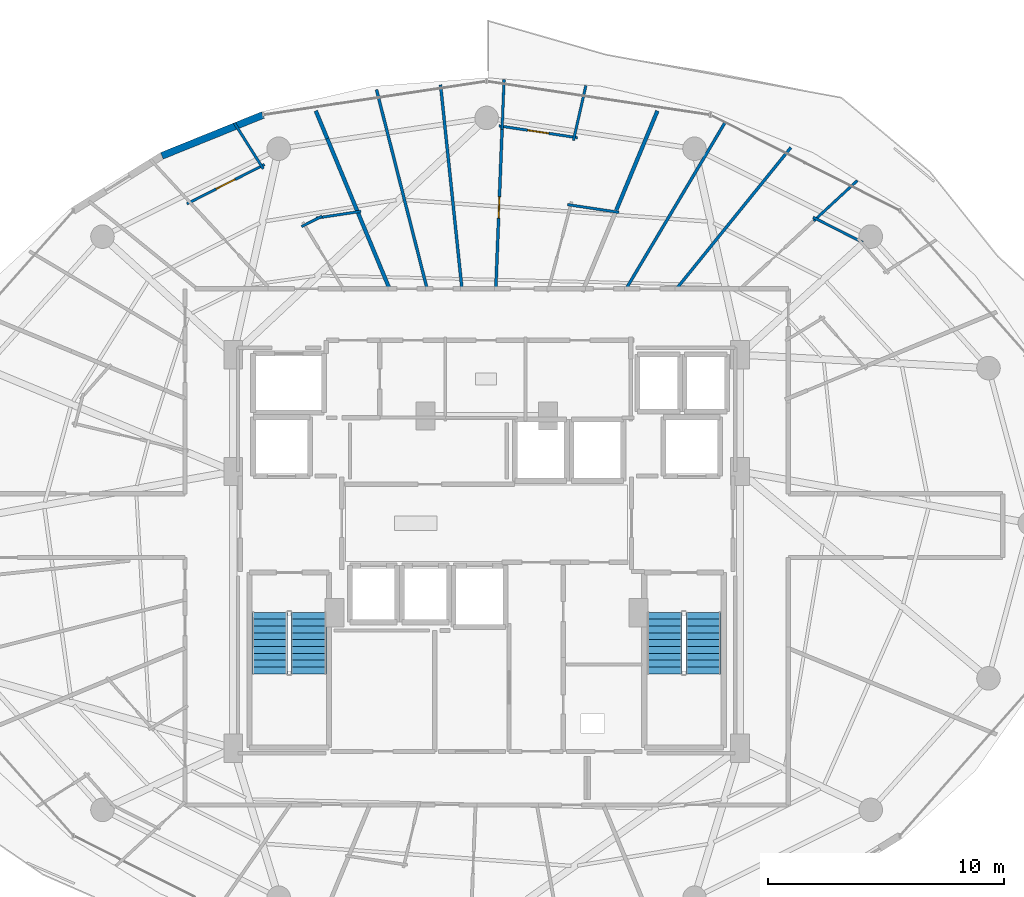
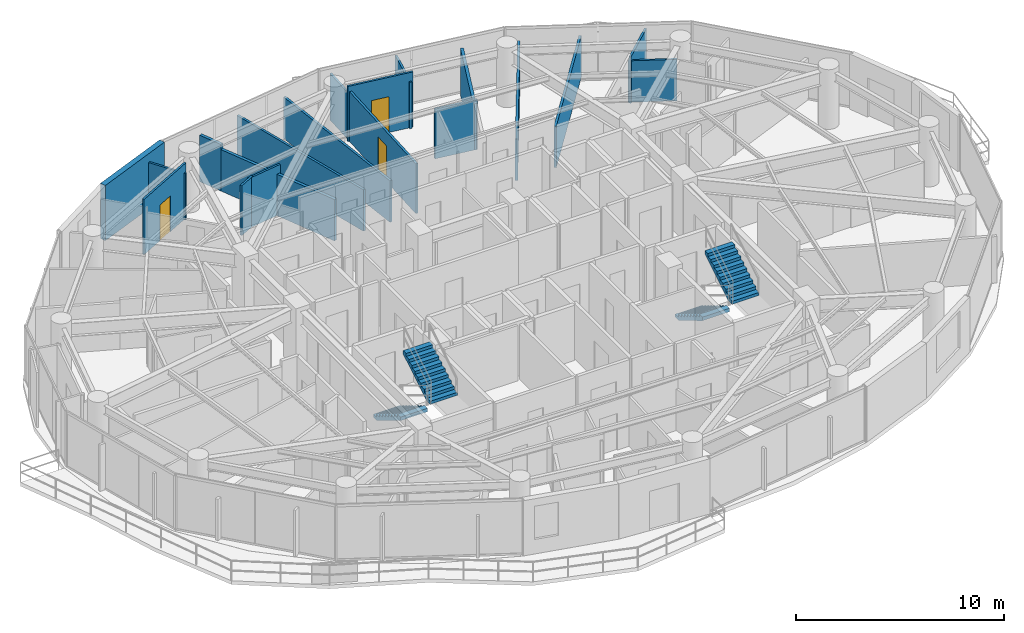
# One storey, part 25 of 28: 19 walls, 4 stair flights, 3 doors, 3 openings, 2 elements without a shape of their own.
"""IFC4 building model written with IfcOpenShell, lengths in metres."""

import ifcopenshell
import ifcopenshell.guid

model = None  # the IFC model being written
_history = None  # IfcOwnerHistory: only IFC2X3 demands one
_inside = {}  # id of a spatial element -> (the spatial element, [elements in it])
_under = {}  # id of a project, library or spatial element -> (it, [spatial elements below it])
_declared = {}  # id of a project -> (the project, [libraries it declares])
_typed = {}  # id of a type object -> (the type object, [elements of that type])
_made_of = {}  # id of a material, layer set ... -> (it, [elements and type objects made of it])


def new_model(schema):
    """Start an empty IFC model of exactly this schema.

    Asked for "IFC4X3", IfcOpenShell would pick the latest addendum, in which some entities
    have other attributes; the version numbers below select the first issue.
    IFC2X3 requires an IfcOwnerHistory on every rooted entity: one is made here for all.
    """
    global model, _history
    if schema == "IFC4X3":
        model = ifcopenshell.file(schema_version=(4, 3, 0, 0))
    else:
        model = ifcopenshell.file(schema=schema)
    _inside.clear()
    _under.clear()
    _declared.clear()
    _typed.clear()
    _made_of.clear()
    _history = None
    if model.schema == "IFC2X3":
        org = make("IfcOrganization", Name="unknown")
        user = make(
            "IfcPersonAndOrganization",
            ThePerson=make("IfcPerson", FamilyName="unknown"),
            TheOrganization=org,
        )
        app = make(
            "IfcApplication",
            ApplicationDeveloper=org,
            Version="unknown",
            ApplicationFullName="unknown",
            ApplicationIdentifier="unknown",
        )
        _history = make(
            "IfcOwnerHistory",
            OwningUser=user,
            OwningApplication=app,
            ChangeAction="ADDED",
            CreationDate=0,
        )
    return model


def make(cls, **values):
    """One entity of the class cls with the attributes given. An attribute that is None is left unset."""
    return model.create_entity(
        cls, **{name: value for name, value in values.items() if value is not None}
    )


def rooted(cls, **values):
    """An entity with a GlobalId (a new one), such as an element, a storey or a relation."""
    return make(cls, GlobalId=ifcopenshell.guid.new(), OwnerHistory=_history, **values)


def si_unit(unit_type, name, prefix=None):
    """IfcSIUnit, for example si_unit("LENGTHUNIT", "METRE", prefix="MILLI")."""
    return make("IfcSIUnit", UnitType=unit_type, Prefix=prefix, Name=name)


def assignment(units):
    """IfcUnitAssignment: the units of a project."""
    return None if units is None else make("IfcUnitAssignment", Units=units)


def point(xyz):
    """IfcCartesianPoint."""
    return None if xyz is None else make("IfcCartesianPoint", Coordinates=xyz)


def direction(xyz):
    """IfcDirection."""
    return None if xyz is None else make("IfcDirection", DirectionRatios=xyz)


def frame(location, z_axis=None, x_axis=None):
    """IfcAxis2Placement3D, a coordinate frame: its origin and axes. An axis left out is left unset."""
    return make(
        "IfcAxis2Placement3D",
        Location=point(location),
        Axis=direction(z_axis),
        RefDirection=direction(x_axis),
    )


def frame_2d(location, x_axis=None):
    """IfcAxis2Placement2D, a coordinate frame in the plane: its origin and x axis."""
    return make(
        "IfcAxis2Placement2D", Location=point(location), RefDirection=direction(x_axis)
    )


def origin():
    """The frame at (0, 0, 0) with its axes left unset."""
    return frame((0.0, 0.0, 0.0))


def place(relative_to, where):
    """IfcLocalPlacement: puts the frame where relative to a parent placement (None: the world)."""
    return make(
        "IfcLocalPlacement", PlacementRelTo=relative_to, RelativePlacement=where
    )


def context(
    kind, dimensions, precision=None, world=None, true_north=None, identifier=None
):
    """IfcGeometricRepresentationContext, for example the 3D "Model" context."""
    return make(
        "IfcGeometricRepresentationContext",
        ContextIdentifier=identifier,
        ContextType=kind,
        CoordinateSpaceDimension=dimensions,
        Precision=precision,
        WorldCoordinateSystem=world,
        TrueNorth=true_north,
    )


def subcontext(parent, identifier, kind, view, scale=None):
    """IfcGeometricRepresentationSubContext, for example "Body" below "Model"."""
    return make(
        "IfcGeometricRepresentationSubContext",
        ContextIdentifier=identifier,
        ContextType=kind,
        ParentContext=parent,
        TargetScale=scale,
        TargetView=view,
    )


def project(units=None, contexts=None):
    """IfcProject with its units and contexts."""
    return rooted(
        "IfcProject",
        Name="project",
        RepresentationContexts=contexts,
        UnitsInContext=assignment(units),
    )


def spatial(cls, under=None, at=None, **own):
    """A site, building, storey or space (cls), placed at a placement, below another one or the project."""
    s = rooted(cls, ObjectPlacement=at, **own)
    if under is not None:
        _under.setdefault(under.id(), (under, []))[1].append(s)
    return s


def polyline(points):
    """IfcPolyline through the points."""
    return make("IfcPolyline", Points=[point(p) for p in points])


def profile(cls, at=None, kind="AREA", **sizes):
    """A parametric profile (cls). Its sizes go by their IFC names, for example OverallWidth=200.0."""
    return make(cls, ProfileType=kind, Position=at, **sizes)


def rectangle(**sizes):
    """IfcRectangleProfileDef."""
    return profile("IfcRectangleProfileDef", **sizes)


def outline(outer, holes=None, kind="AREA"):
    """IfcArbitraryClosedProfileDef: a profile drawn as a closed curve; with holes, ...WithVoids."""
    if holes is None:
        return make("IfcArbitraryClosedProfileDef", ProfileType=kind, OuterCurve=outer)
    return make(
        "IfcArbitraryProfileDefWithVoids",
        ProfileType=kind,
        OuterCurve=outer,
        InnerCurves=holes,
    )


def extrude(swept, where, along, depth):
    """IfcExtrudedAreaSolid: the profile swept, set in the frame where, extruded along a direction by depth."""
    return make(
        "IfcExtrudedAreaSolid",
        SweptArea=swept,
        Position=where,
        ExtrudedDirection=direction(along),
        Depth=depth,
    )


def shape(context_of_items, identifier, shape_type, items):
    """IfcShapeRepresentation: the items that make up one representation, for example the "Body"."""
    return make(
        "IfcShapeRepresentation",
        ContextOfItems=context_of_items,
        RepresentationIdentifier=identifier,
        RepresentationType=shape_type,
        Items=items,
    )


def material(Name=None, Category=None):
    """IfcMaterial."""
    return make("IfcMaterial", Name=Name, Category=Category)


def layer(
    of_material, thickness, ventilated=None, Name=None, Category=None, Priority=None
):
    """IfcMaterialLayer: one layer of a wall or slab, of a material (None: an air gap)."""
    return make(
        "IfcMaterialLayer",
        Material=of_material,
        LayerThickness=thickness,
        IsVentilated=ventilated,
        Name=Name,
        Category=Category,
        Priority=Priority,
    )


def layer_set(layers, Name=None):
    """IfcMaterialLayerSet."""
    return make("IfcMaterialLayerSet", MaterialLayers=layers, LayerSetName=Name)


def made_of(thing, what):
    """Note that an element or type object is made of a material, layer set ...; save() writes the relation."""
    if what is not None:
        _made_of.setdefault(what.id(), (what, []))[1].append(thing)
    return thing


def type_object(cls, material=None, **own):
    """A type object (cls), such as IfcWallType, which elements share."""
    return made_of(rooted(cls, **own), material)


def element(
    cls,
    number,
    at=None,
    inside=None,
    cuts=None,
    type_object=None,
    material=None,
    context=None,
    identifier="Body",
    shape_type=None,
    held_by="IfcProductDefinitionShape",
    body=None,
    shapes=None,
    **own,
):
    """One element of the class cls, such as IfcWall. Its Tag is "e" and its number.

    at: its placement. inside: the storey or other place that contains it. cuts: it is an
    opening in that element (IfcRelVoidsElement). A single representation is given by context,
    identifier, shape_type and body (its items); several are given by shapes. held_by: the class
    of the entity that holds the representations. save() writes the other relations.
    """
    e = rooted(cls, Tag="e%d" % number, ObjectPlacement=at, **own)
    if body is not None:
        shapes = [shape(context, identifier, shape_type, body)]
    if shapes is not None:
        e.Representation = make(held_by, Representations=shapes)
    if inside is not None:
        _inside.setdefault(inside.id(), (inside, []))[1].append(e)
    if cuts is not None:
        rooted(
            "IfcRelVoidsElement", RelatingBuildingElement=cuts, RelatedOpeningElement=e
        )
    if type_object is not None:
        _typed.setdefault(type_object.id(), (type_object, []))[1].append(e)
    return made_of(e, material)


def fill(opening, filler):
    """IfcRelFillsElement: the door or window that sits in an opening."""
    return rooted(
        "IfcRelFillsElement",
        RelatingOpeningElement=opening,
        RelatedBuildingElement=filler,
    )


def aggregate(whole, parts):
    """IfcRelAggregates: a whole, such as a stair, and the parts it consists of."""
    return rooted("IfcRelAggregates", RelatingObject=whole, RelatedObjects=parts)


def save(model, path):
    """Write the relations noted so far, then the file.

    IfcRelAggregates (storeys below a building ...), IfcRelContainedInSpatialStructure (elements
    in a storey), IfcRelDefinesByType, IfcRelAssociatesMaterial and IfcRelDeclares: one each for
    every whole, place, type object, material and project.
    """
    for whole, parts in _under.values():
        aggregate(whole, parts)
    for where, things in _inside.values():
        rooted(
            "IfcRelContainedInSpatialStructure",
            RelatedElements=things,
            RelatingStructure=where,
        )
    for kind, things in _typed.values():
        rooted("IfcRelDefinesByType", RelatedObjects=things, RelatingType=kind)
    for what, things in _made_of.values():
        rooted("IfcRelAssociatesMaterial", RelatedObjects=things, RelatingMaterial=what)
    for by, libraries in _declared.values():
        rooted("IfcRelDeclares", RelatingContext=by, RelatedDefinitions=libraries)
    model.write(path)


model = new_model("IFC4")

# Units and contexts
model_context = context("Model", 3, precision=1e-05, world=origin(), true_north=direction((0.0, 1.0)))
body_context = subcontext(model_context, "Body", "Model", "MODEL_VIEW")
ifc_project = project(units=[si_unit("LENGTHUNIT", "METRE"), si_unit("AREAUNIT", "SQUARE_METRE"), si_unit("VOLUMEUNIT", "CUBIC_METRE"), si_unit("PLANEANGLEUNIT", "RADIAN"), si_unit("MASSUNIT", "GRAM", prefix="KILO")], contexts=[model_context])

# Site, building, storey
site_placement = place(None, origin())
site = spatial("IfcSite", under=ifc_project, at=site_placement, CompositionType="ELEMENT")
building_placement = place(site_placement, origin())
building = spatial("IfcBuilding", under=site, at=building_placement, Name="Vorneva Point Tower", CompositionType="ELEMENT")
storey_placement = place(building_placement, frame((0.0, 0.0, 139.60009765625)))
storey = spatial("IfcBuildingStorey", under=building, at=storey_placement, Name="L37", CompositionType="ELEMENT", Elevation=139.60009765625)

# Walls
ifc_material_1 = material(Name="Precast concrete B50 (C40/50)", Category="concrete")
ifc_layer_1 = layer(ifc_material_1, 0.300048828125)
ifc_layer_set_1 = layer_set([ifc_layer_1], Name="Precast concrete B50 (C40/50)")
wall_type_1 = type_object("IfcWallType", Name="WL-EXT-300", PredefinedType="STANDARD", material=ifc_layer_set_1)
wall_1_placement = place(storey_placement, frame((28.509521484375, 43.32275390625, 0.0), z_axis=(0.0, 0.0, 1.0), x_axis=(-0.927156504392, -0.374674280359, 0.0)))
element("IfcWall", 1, at=wall_1_placement, inside=storey, type_object=wall_type_1, Name="L37 Pale-Metal Facade Spandrel Wall 06.1", PredefinedType="STANDARD", context=body_context, shape_type="SweptSolid", body=[
    extrude(rectangle(XDim=4.62451171875, YDim=0.300048828125, at=frame_2d((2.312255859375, 0.0))), origin(), (0.0, 0.0, 1.0), 3.239990234375),
])
ifc_material_2 = material(Name="Fire-rated acoustic gypsum stud partition", Category="gypsum")
ifc_layer_2 = layer(ifc_material_2, 0.110107421875)
ifc_layer_set_2 = layer_set([ifc_layer_2], Name="Fire-rated acoustic gypsum stud partition")
wall_type_2 = type_object("IfcWallType", Name="WL-PART-110", PredefinedType="PARTITIONING", material=ifc_layer_set_2)
wall_2_placement = place(storey_placement, frame((53.964111328125, 37.914794921875, 0.0), z_axis=(0.0, 0.0, 1.0), x_axis=(-0.89250004606, 0.451047301049, 0.0)))
element("IfcWall", 2, at=wall_2_placement, inside=storey, type_object=wall_type_2, Name="L37 Interior Partition 073", PredefinedType="PARTITIONING", context=body_context, shape_type="SweptSolid", body=[
    extrude(rectangle(XDim=2.366455078125, YDim=0.110107421875, at=frame_2d((1.18310546875, 0.0))), origin(), (0.0, 0.0, 1.0), 2.431884765625),
])
wall_3_placement = place(storey_placement, frame((51.874267578125, 38.823974609375, 0.0), z_axis=(0.0, 0.0, 1.0), x_axis=(0.734191073284, 0.678942904749, 0.0)))
element("IfcWall", 3, at=wall_3_placement, inside=storey, type_object=wall_type_2, Name="L37 Interior Partition 074", PredefinedType="PARTITIONING", context=body_context, shape_type="SweptSolid", body=[
    extrude(rectangle(XDim=2.523193359375, YDim=0.110107421875, at=frame_2d((1.26171875, 0.0))), origin(), (0.0, 0.0, 1.0), 2.727783203125),
])
wall_4_placement = place(storey_placement, frame((41.4296875, 39.519775390625, 0.0), z_axis=(0.0, 0.0, 1.0), x_axis=(0.98891036234, -0.148513619769, 0.0)))
element("IfcWall", 4, at=wall_4_placement, inside=storey, type_object=wall_type_2, Name="L37 Interior Partition 084", PredefinedType="PARTITIONING", context=body_context, shape_type="SweptSolid", body=[
    extrude(rectangle(XDim=2.2060546875, YDim=0.110107421875, at=frame_2d((1.10302734375, 0.0))), origin(), (0.0, 0.0, 1.0), 2.921875),
])
wall_5_placement = place(storey_placement, frame((42.212890625, 44.574462890625, 0.0), z_axis=(0.0, 0.0, 1.0), x_axis=(-0.220932027223, -0.975289208054, 0.0)))
element("IfcWall", 5, at=wall_5_placement, inside=storey, type_object=wall_type_2, Name="L37 Interior Partition 085", PredefinedType="PARTITIONING", context=body_context, shape_type="SweptSolid", body=[
    extrude(rectangle(XDim=2.38916015625, YDim=0.110107421875, at=frame_2d((1.194580078125, 0.0))), origin(), (0.0, 0.0, 1.0), 2.727783203125),
])

# Wall, opening, door
wall_6_placement = place(storey_placement, frame((41.8544921875, 42.360107421875, 0.0), z_axis=(0.0, 0.0, 1.0), x_axis=(-0.988887919082, 0.148662986296, 0.0)))
wall_6 = element("IfcWall", 6, at=wall_6_placement, inside=storey, type_object=wall_type_2, Name="L37 Interior Partition 086", PredefinedType="PARTITIONING", context=body_context, shape_type="SweptSolid", body=[
    extrude(rectangle(XDim=3.3681640625, YDim=0.110107421875, at=frame_2d((1.68408203125, 0.0))), origin(), (0.0, 0.0, 1.0), 3.239990234375),
])
opening_1_placement = place(wall_6_placement, frame((1.234130859375, 0.0, 0.0)))
opening_1 = element("IfcOpeningElement", 7, at=opening_1_placement, cuts=wall_6, Name="Opening ID-01", PredefinedType="OPENING", context=body_context, shape_type="SweptSolid", body=[
    extrude(rectangle(XDim=0.89990234375, YDim=2.10009765625, at=frame_2d((0.449951171875, 1.050048828125))), frame((0.0, 0.06982421875, 0.0), z_axis=(0.0, -1.0, 0.0), x_axis=(1.0, 0.0, 0.0)), (0.0, 0.0, 1.0), 0.139892578125),
])
ifc_material_3 = material(Name="Engineered oak fire-rated door leaf", Category="wood")
door_type = type_object("IfcDoorType", Name="DR-ROOM-900", OperationType="NOTDEFINED", PredefinedType="DOOR", material=ifc_material_3)
door_1_placement = place(opening_1_placement, origin())
door_1 = element("IfcDoor", 8, at=door_1_placement, inside=storey, type_object=door_type, Name="L37 Door Living and Dining Room L37-02 / Kitchen L37-02", OperationType="SINGLE_SWING_LEFT", OverallHeight=2.10009765625, OverallWidth=0.89990234375, PredefinedType="DOOR", context=body_context, shape_type="SweptSolid", body=[
    extrude(rectangle(XDim=0.89990234375, YDim=2.10009765625, at=frame_2d((0.449951171875, 1.050048828125))), frame((0.0, 0.02490234375, 0.0), z_axis=(0.0, -1.0, 0.0), x_axis=(1.0, 0.0, 0.0)), (0.0, 0.0, 1.0), 0.050048828125),
])
fill(opening_1, door_1)

# Walls
wall_7_placement = place(storey_placement, frame((38.740478515625, 44.8349609375, 0.0), z_axis=(0.0, 0.0, 1.0), x_axis=(-0.039310852952, -0.999227029679, 0.0)))
element("IfcWall", 9, at=wall_7_placement, inside=storey, type_object=wall_type_2, Name="L37 Interior Partition 088", PredefinedType="PARTITIONING", context=body_context, shape_type="SweptSolid", body=[
    extrude(rectangle(XDim=2.136474609375, YDim=0.110107421875, at=frame_2d((1.068359375, 0.0))), origin(), (0.0, 0.0, 1.0), 2.727783203125),
])
wall_8_placement = place(storey_placement, frame((30.149169921875, 38.588623046875, 0.0), z_axis=(0.0, 0.0, 1.0), x_axis=(0.891868081409, 0.452295617229, 0.0)))
element("IfcWall", 10, at=wall_8_placement, inside=storey, type_object=wall_type_2, Name="L37 Interior Partition 094", PredefinedType="PARTITIONING", context=body_context, shape_type="SweptSolid", body=[
    extrude(rectangle(XDim=0.978515625, YDim=0.110107421875, at=frame_2d((0.4892578125, 0.0))), origin(), (0.0, 0.0, 1.0), 2.921875),
])
wall_9_placement = place(storey_placement, frame((30.758544921875, 38.947265625, 0.0), z_axis=(0.0, 0.0, 1.0), x_axis=(0.988889867338, 0.148650026153, 0.0)))
element("IfcWall", 11, at=wall_9_placement, inside=storey, type_object=wall_type_2, Name="L37 Interior Partition 095", PredefinedType="PARTITIONING", context=body_context, shape_type="SweptSolid", body=[
    extrude(rectangle(XDim=1.92822265625, YDim=0.110107421875, at=frame_2d((0.964111328125, 0.0))), origin(), (0.0, 0.0, 1.0), 2.921875),
])

# Wall, opening, door
wall_10_placement = place(storey_placement, frame((28.573974609375, 41.21923828125, 0.0), z_axis=(0.0, 0.0, 1.0), x_axis=(-0.892470920122, -0.451104928744, 0.0)))
wall_10 = element("IfcWall", 12, at=wall_10_placement, inside=storey, type_object=wall_type_2, Name="L37 Interior Partition 096", PredefinedType="PARTITIONING", context=body_context, shape_type="SweptSolid", body=[
    extrude(rectangle(XDim=3.68505859375, YDim=0.110107421875, at=frame_2d((1.842529296875, 0.0))), origin(), (0.0, 0.0, 1.0), 3.239990234375),
])
opening_2_placement = place(wall_10_placement, frame((1.392578125, 0.0, 0.0)))
opening_2 = element("IfcOpeningElement", 13, at=opening_2_placement, cuts=wall_10, Name="Opening ID-01", PredefinedType="OPENING", context=body_context, shape_type="SweptSolid", body=[
    extrude(rectangle(XDim=0.89990234375, YDim=2.10009765625, at=frame_2d((0.449951171875, 1.050048828125))), frame((0.0, 0.06982421875, 0.0), z_axis=(0.0, -1.0, 0.0), x_axis=(1.0, 0.0, 0.0)), (0.0, 0.0, 1.0), 0.139892578125),
])
door_2_placement = place(opening_2_placement, origin())
door_2 = element("IfcDoor", 14, at=door_2_placement, inside=storey, type_object=door_type, Name="L37 Door Living and Dining Room L37-03 / Kitchen L37-03", OperationType="SINGLE_SWING_RIGHT", OverallHeight=2.10009765625, OverallWidth=0.89990234375, PredefinedType="DOOR", context=body_context, shape_type="SweptSolid", body=[
    extrude(rectangle(XDim=0.89990234375, YDim=2.10009765625, at=frame_2d((0.449951171875, 1.050048828125))), frame((0.0, 0.02490234375, 0.0), z_axis=(0.0, -1.0, 0.0), x_axis=(1.0, 0.0, 0.0)), (0.0, 0.0, 1.0), 0.050048828125),
])
fill(opening_2, door_2)

# Walls
wall_11_placement = place(storey_placement, frame((27.29833984375, 42.9814453125, 0.0), z_axis=(0.0, 0.0, 1.0), x_axis=(0.533261254764, -0.845950609769, 0.0)))
element("IfcWall", 15, at=wall_11_placement, inside=storey, type_object=wall_type_2, Name="L37 Interior Partition 098", PredefinedType="PARTITIONING", context=body_context, shape_type="SweptSolid", body=[
    extrude(rectangle(XDim=2.2978515625, YDim=0.110107421875, at=frame_2d((1.14892578125, 0.0))), origin(), (0.0, 0.0, 1.0), 2.727783203125),
])
ifc_layer_3 = layer(ifc_material_2, 0.125)
ifc_layer_set_3 = layer_set([ifc_layer_3], Name="Fire-rated acoustic gypsum stud partition")
wall_type_3 = type_object("IfcWallType", Name="WL-PART-125", PredefinedType="PARTITIONING", material=ifc_layer_set_3)
wall_12_placement = place(storey_placement, frame((50.907958984375, 41.93994140625, 0.0), z_axis=(0.0, 0.0, 1.0), x_axis=(-0.62935766896, -0.77711577292, 0.0)))
element("IfcWall", 16, at=wall_12_placement, inside=storey, type_object=wall_type_3, Name="L37 Interior Partition 079", PredefinedType="PARTITIONING", context=body_context, shape_type="SweptSolid", body=[
    extrude(rectangle(XDim=7.7080078125, YDim=0.125, at=frame_2d((3.85400390625, 0.0))), origin(), (0.0, 0.0, 1.0), 2.431884765625),
])
wall_13_placement = place(storey_placement, frame((48.14794921875, 43.056884765625, 0.0), z_axis=(0.0, 0.0, 1.0), x_axis=(-0.511279346901, -0.859414585304, 0.0)))
element("IfcWall", 17, at=wall_13_placement, inside=storey, type_object=wall_type_3, Name="L37 Interior Partition 080", PredefinedType="PARTITIONING", context=body_context, shape_type="SweptSolid", body=[
    extrude(rectangle(XDim=8.26953125, YDim=0.125, at=frame_2d((4.134765625, 0.0))), origin(), (0.0, 0.0, 1.0), 2.431884765625),
])

# Wall, opening, door
wall_14_placement = place(storey_placement, frame((38.662109375, 42.840087890625, 0.0), z_axis=(0.0, 0.0, 1.0), x_axis=(-0.039300632457, -0.999227431713, 0.0)))
wall_14 = element("IfcWall", 18, at=wall_14_placement, inside=storey, type_object=wall_type_3, Name="L37 Interior Partition 087", PredefinedType="PARTITIONING", context=body_context, shape_type="SweptSolid", body=[
    extrude(rectangle(XDim=6.8955078125, YDim=0.125, at=frame_2d((3.44775390625, 0.0))), origin(), (0.0, 0.0, 1.0), 2.921875),
])
opening_3_placement = place(wall_14_placement, frame((2.997802734375, 0.0, 0.0)))
opening_3 = element("IfcOpeningElement", 19, at=opening_3_placement, cuts=wall_14, Name="Opening ID-01", PredefinedType="OPENING", context=body_context, shape_type="SweptSolid", body=[
    extrude(rectangle(XDim=0.89990234375, YDim=2.10009765625, at=frame_2d((0.449951171875, 1.050048828125))), frame((0.0, 0.077392578125, 0.0), z_axis=(0.0, -1.0, 0.0), x_axis=(1.0, 0.0, 0.0)), (0.0, 0.0, 1.0), 0.15478515625),
])
door_3_placement = place(opening_3_placement, origin())
door_3 = element("IfcDoor", 20, at=door_3_placement, inside=storey, type_object=door_type, Name="L37 Door Living and Dining Room L37-02 / Master Bedroom L37-02.1", OperationType="SINGLE_SWING_RIGHT", OverallHeight=2.10009765625, OverallWidth=0.89990234375, PredefinedType="DOOR", context=body_context, shape_type="SweptSolid", body=[
    extrude(rectangle(XDim=0.89990234375, YDim=2.10009765625, at=frame_2d((0.449951171875, 1.050048828125))), frame((0.0, 0.02490234375, 0.0), z_axis=(0.0, -1.0, 0.0), x_axis=(1.0, 0.0, 0.0)), (0.0, 0.0, 1.0), 0.050048828125),
])
fill(opening_3, door_3)

# Walls
wall_15_placement = place(storey_placement, frame((36.044921875, 44.60400390625, 0.0), z_axis=(0.0, 0.0, 1.0), x_axis=(0.104483235172, -0.994526647993, 0.0)))
element("IfcWall", 21, at=wall_15_placement, inside=storey, type_object=wall_type_3, Name="L37 Interior Partition 089", PredefinedType="PARTITIONING", context=body_context, shape_type="SweptSolid", body=[
    extrude(rectangle(XDim=8.70166015625, YDim=0.125, at=frame_2d((4.350830078125, 0.0))), origin(), (0.0, 0.0, 1.0), 2.431884765625),
])
wall_16_placement = place(storey_placement, frame((33.326904296875, 44.40087890625, 0.0), z_axis=(0.0, 0.0, 1.0), x_axis=(0.246124619458, -0.969238191415, 0.0)))
element("IfcWall", 22, at=wall_16_placement, inside=storey, type_object=wall_type_3, Name="L37 Interior Partition 090", PredefinedType="PARTITIONING", context=body_context, shape_type="SweptSolid", body=[
    extrude(rectangle(XDim=8.71923828125, YDim=0.125, at=frame_2d((4.359619140625, 0.0))), origin(), (0.0, 0.0, 1.0), 2.431884765625),
])
ifc_layer_4 = layer(ifc_material_2, 0.159912109375)
ifc_layer_set_4 = layer_set([ifc_layer_4], Name="Fire-rated acoustic gypsum stud partition")
wall_type_4 = type_object("IfcWallType", Name="WL-PART-160", PredefinedType="PARTITIONING", material=ifc_layer_set_4)
wall_17_placement = place(storey_placement, frame((45.248046875, 43.4990234375, 0.0), z_axis=(0.0, 0.0, 1.0), x_axis=(-0.382708032219, -0.923869342535, 0.0)))
element("IfcWall", 23, at=wall_17_placement, inside=storey, type_object=wall_type_4, Name="L37 Interior Partition 081", PredefinedType="PARTITIONING", context=body_context, shape_type="SweptSolid", body=[
    extrude(rectangle(XDim=4.700927734375, YDim=0.159912109375, at=frame_2d((2.3505859375, 0.0))), origin(), (0.0, 0.0, 1.0), 2.727783203125),
])
wall_18_placement = place(storey_placement, frame((30.751953125, 43.4990234375, 0.0), z_axis=(0.0, 0.0, 1.0), x_axis=(0.382752000821, -0.923851127546, 0.0)))
element("IfcWall", 24, at=wall_18_placement, inside=storey, type_object=wall_type_4, Name="L37 Interior Partition 091", PredefinedType="PARTITIONING", context=body_context, shape_type="SweptSolid", body=[
    extrude(rectangle(XDim=1.275146484375, YDim=0.159912109375, at=frame_2d((0.6376953125, 0.0))), origin(), (0.0, 0.0, 1.0), 2.727783203125),
])
wall_19_placement = place(storey_placement, frame((31.239990234375, 42.321044921875, 0.0), z_axis=(0.0, 0.0, 1.0), x_axis=(0.382673849319, -0.923883501881, 0.0)))
element("IfcWall", 25, at=wall_19_placement, inside=storey, type_object=wall_type_4, Name="L37 Interior Partition 092", PredefinedType="PARTITIONING", context=body_context, shape_type="SweptSolid", body=[
    extrude(rectangle(XDim=6.89599609375, YDim=0.159912109375, at=frame_2d((3.447998046875, 0.0))), origin(), (0.0, 0.0, 1.0), 2.431884765625),
])

# Stair, stair flights
ifc_material_4 = material(Name="Concrete B50 (C40/50)", Category="concrete")
stair_type = type_object("IfcStairType", Name="ST-DOG-1500", PredefinedType="HALF_TURN_STAIR", material=ifc_material_4)
stair_1_placement = place(storey_placement, origin())
stair_1 = element("IfcStair", 26, at=stair_1_placement, inside=storey, type_object=stair_type, Name="L37 ST1", PredefinedType="HALF_TURN_STAIR")
stair_flight_type = type_object("IfcStairFlightType", Name="STF-1500", PredefinedType="STRAIGHT", material=ifc_material_4)
stair_flight_1_placement = place(storey_placement, frame((28.800048828125, 22.219970703125, 0.0), z_axis=(0.0, 0.0, 1.0), x_axis=(0.0, -1.0, 0.0)))
stair_flight_1 = element("IfcStairFlight", 27, at=stair_flight_1_placement, type_object=stair_flight_type, Name="ST1 flight 1", NumberOfRisers=10, NumberOfTreads=9, PredefinedType="STRAIGHT", RiserHeight=0.175, TreadLength=0.29, context=body_context, shape_type="SweptSolid", body=[
    extrude(outline(polyline([(0.0, 0.0), (0.0, 0.175048828125), (0.2900390625, 0.175048828125), (0.2900390625, 0.35009765625), (0.580078125, 0.35009765625), (0.580078125, 0.52490234375), (0.8701171875, 0.52490234375), (0.8701171875, 0.699951171875), (1.159912109375, 0.699951171875), (1.159912109375, 0.875), (1.449951171875, 0.875), (1.449951171875, 1.050048828125), (1.739990234375, 1.050048828125), (1.739990234375, 1.22509765625), (2.030029296875, 1.22509765625), (2.030029296875, 1.39990234375), (2.320068359375, 1.39990234375), (2.320068359375, 1.574951171875), (2.610107421875, 1.574951171875), (2.610107421875, 1.75), (2.610107421875, 1.36474609375), (0.34814453125, 0.0), (0.0, 0.0)])), frame((0.0, 0.75, 0.0), z_axis=(0.0, -1.0, 0.0), x_axis=(1.0, 0.0, 0.0)), (0.0, 0.0, 1.0), 1.5),
])
stair_flight_2_placement = place(storey_placement, frame((30.449951171875, 19.610107421875, 1.75), z_axis=(0.0, 0.0, 1.0), x_axis=(0.0, 1.0, 0.0)))
stair_flight_2 = element("IfcStairFlight", 28, at=stair_flight_2_placement, type_object=stair_flight_type, Name="ST1 flight 2", NumberOfRisers=10, NumberOfTreads=9, PredefinedType="STRAIGHT", RiserHeight=0.175, TreadLength=0.29, context=body_context, shape_type="SweptSolid", body=[
    extrude(outline(polyline([(0.0, 0.0), (0.0, 0.175048828125), (0.2900390625, 0.175048828125), (0.2900390625, 0.35009765625), (0.580078125, 0.35009765625), (0.580078125, 0.52490234375), (0.8701171875, 0.52490234375), (0.8701171875, 0.699951171875), (1.159912109375, 0.699951171875), (1.159912109375, 0.875), (1.449951171875, 0.875), (1.449951171875, 1.050048828125), (1.739990234375, 1.050048828125), (1.739990234375, 1.22509765625), (2.030029296875, 1.22509765625), (2.030029296875, 1.39990234375), (2.320068359375, 1.39990234375), (2.320068359375, 1.574951171875), (2.610107421875, 1.574951171875), (2.610107421875, 1.75), (2.610107421875, 1.36474609375), (0.34814453125, 0.0), (0.0, 0.0)])), frame((0.0, 0.75, 0.0), z_axis=(0.0, -1.0, 0.0), x_axis=(1.0, 0.0, 0.0)), (0.0, 0.0, 1.0), 1.5),
])
aggregate(stair_1, [stair_flight_1, stair_flight_2])

stair_2_placement = place(storey_placement, origin())
stair_2 = element("IfcStair", 29, at=stair_2_placement, inside=storey, type_object=stair_type, Name="L37 ST2", PredefinedType="HALF_TURN_STAIR")
stair_flight_3_placement = place(storey_placement, frame((45.550048828125, 22.219970703125, 0.0), z_axis=(0.0, 0.0, 1.0), x_axis=(0.0, -1.0, 0.0)))
stair_flight_3 = element("IfcStairFlight", 30, at=stair_flight_3_placement, type_object=stair_flight_type, Name="ST2 flight 1", NumberOfRisers=10, NumberOfTreads=9, PredefinedType="STRAIGHT", RiserHeight=0.175, TreadLength=0.29, context=body_context, shape_type="SweptSolid", body=[
    extrude(outline(polyline([(0.0, 0.0), (0.0, 0.175048828125), (0.2900390625, 0.175048828125), (0.2900390625, 0.35009765625), (0.580078125, 0.35009765625), (0.580078125, 0.52490234375), (0.8701171875, 0.52490234375), (0.8701171875, 0.699951171875), (1.159912109375, 0.699951171875), (1.159912109375, 0.875), (1.449951171875, 0.875), (1.449951171875, 1.050048828125), (1.739990234375, 1.050048828125), (1.739990234375, 1.22509765625), (2.030029296875, 1.22509765625), (2.030029296875, 1.39990234375), (2.320068359375, 1.39990234375), (2.320068359375, 1.574951171875), (2.610107421875, 1.574951171875), (2.610107421875, 1.75), (2.610107421875, 1.36474609375), (0.34814453125, 0.0), (0.0, 0.0)])), frame((0.0, 0.75, 0.0), z_axis=(0.0, -1.0, 0.0), x_axis=(1.0, 0.0, 0.0)), (0.0, 0.0, 1.0), 1.5),
])
stair_flight_4_placement = place(storey_placement, frame((47.199951171875, 19.610107421875, 1.75), z_axis=(0.0, 0.0, 1.0), x_axis=(0.0, 1.0, 0.0)))
stair_flight_4 = element("IfcStairFlight", 31, at=stair_flight_4_placement, type_object=stair_flight_type, Name="ST2 flight 2", NumberOfRisers=10, NumberOfTreads=9, PredefinedType="STRAIGHT", RiserHeight=0.175, TreadLength=0.29, context=body_context, shape_type="SweptSolid", body=[
    extrude(outline(polyline([(0.0, 0.0), (0.0, 0.175048828125), (0.2900390625, 0.175048828125), (0.2900390625, 0.35009765625), (0.580078125, 0.35009765625), (0.580078125, 0.52490234375), (0.8701171875, 0.52490234375), (0.8701171875, 0.699951171875), (1.159912109375, 0.699951171875), (1.159912109375, 0.875), (1.449951171875, 0.875), (1.449951171875, 1.050048828125), (1.739990234375, 1.050048828125), (1.739990234375, 1.22509765625), (2.030029296875, 1.22509765625), (2.030029296875, 1.39990234375), (2.320068359375, 1.39990234375), (2.320068359375, 1.574951171875), (2.610107421875, 1.574951171875), (2.610107421875, 1.75), (2.610107421875, 1.36474609375), (0.34814453125, 0.0), (0.0, 0.0)])), frame((0.0, 0.75, 0.0), z_axis=(0.0, -1.0, 0.0), x_axis=(1.0, 0.0, 0.0)), (0.0, 0.0, 1.0), 1.5),
])
aggregate(stair_2, [stair_flight_3, stair_flight_4])

save(model, "model.ifc")
